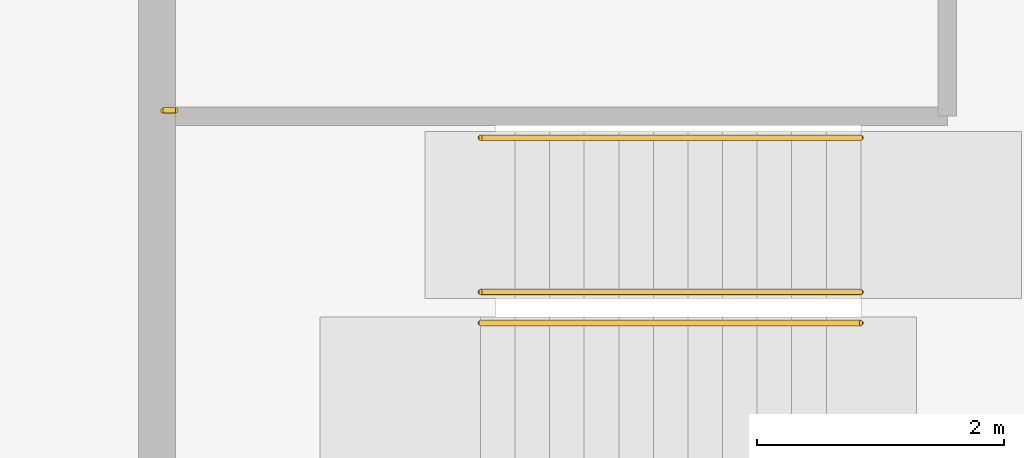
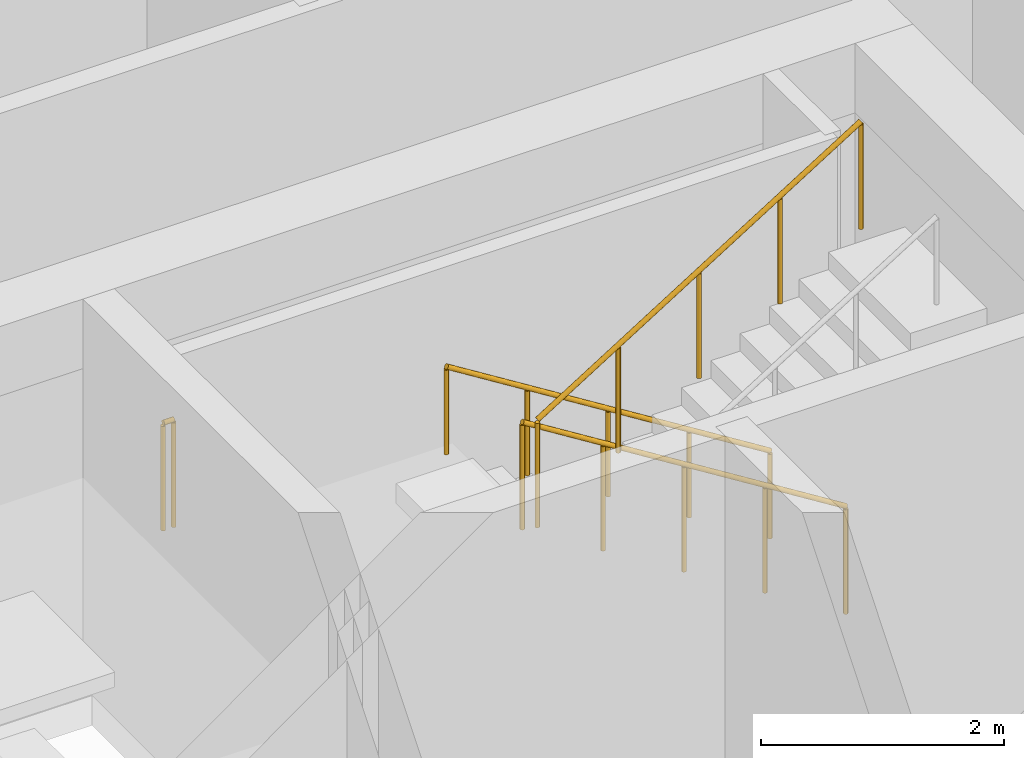
# One storey, part 17 of 19: 4 railings.
"""IFC4 building model written with IfcOpenShell, lengths in metres."""

from ifc_helpers import new_model, si_unit, direction, frame, origin, origin_2d, place, context, subcontext, project, spatial, circle, extrude, material, type_object, element, save


model = new_model("IFC4")

# Units and contexts
model_context = context("Model", 3, precision=1e-05, world=origin(), true_north=direction((0.0, 1.0)))
body_context = subcontext(model_context, "Body", "Model", "MODEL_VIEW")
ifc_project = project(units=[si_unit("LENGTHUNIT", "METRE"), si_unit("AREAUNIT", "SQUARE_METRE"), si_unit("VOLUMEUNIT", "CUBIC_METRE"), si_unit("PLANEANGLEUNIT", "RADIAN"), si_unit("MASSUNIT", "GRAM", prefix="KILO")], contexts=[model_context])

# Site, building, storey
site_placement = place(None, origin())
site = spatial("IfcSite", under=ifc_project, at=site_placement, CompositionType="ELEMENT")
building_placement = place(site_placement, origin())
building = spatial("IfcBuilding", under=site, at=building_placement, Name="Windrow Commons", CompositionType="ELEMENT")
storey_placement = place(building_placement, frame((0.0, 0.0, 185.4)))
storey = spatial("IfcBuildingStorey", under=building, at=storey_placement, Name="L50", CompositionType="ELEMENT", Elevation=185.4)

# Railings
ifc_material_1 = material(Name="Steel S355", Category="steel")
railing_type_1 = type_object("IfcRailingType", Name="Core stair guard 1100", PredefinedType="GUARDRAIL", material=ifc_material_1)
railing_1_placement = place(storey_placement, frame((70.5, 62.355, 0.175)))
element("IfcRailing", 1, at=railing_1_placement, inside=storey, type_object=railing_type_1, Name="L50 ST-A2 stair guard 1", PredefinedType="GUARDRAIL", context=body_context, shape_type="SweptSolid", body=[
    extrude(circle(Radius=0.024, at=origin_2d()), frame((0.0, 0.0, 1.076), z_axis=(-0.847998304, 0.0, 0.52999894), x_axis=(0.0, -1.0, 0.0)), (0.0, 0.0, 1.0), 3.6321),
    extrude(circle(Radius=0.021, at=origin_2d()), origin(), (0.0, 0.0, 1.0), 1.052),
    extrude(circle(Radius=0.021, at=origin_2d()), frame((-0.77, 0.0, 0.4813)), (0.0, 0.0, 1.0), 1.052),
    extrude(circle(Radius=0.021, at=origin_2d()), frame((-1.54, 0.0, 0.9625)), (0.0, 0.0, 1.0), 1.052),
    extrude(circle(Radius=0.021, at=origin_2d()), frame((-2.31, 0.0, 1.4438)), (0.0, 0.0, 1.0), 1.052),
    extrude(circle(Radius=0.021, at=origin_2d()), frame((-3.08, 0.0, 1.925)), (0.0, 0.0, 1.0), 1.052),
])
railing_2_placement = place(storey_placement, frame((67.42, 62.105, 2.275)))
element("IfcRailing", 2, at=railing_2_placement, inside=storey, type_object=railing_type_1, Name="L50 ST-A2 stair guard 2", PredefinedType="GUARDRAIL", context=body_context, shape_type="SweptSolid", body=[
    extrude(circle(Radius=0.024, at=origin_2d()), frame((0.0, 0.0, 1.076), z_axis=(0.847998304, 0.0, 0.52999894), x_axis=(0.0, 1.0, 0.0)), (0.0, 0.0, 1.0), 3.6321),
    extrude(circle(Radius=0.021, at=origin_2d()), origin(), (0.0, 0.0, 1.0), 1.052),
    extrude(circle(Radius=0.021, at=origin_2d()), frame((0.77, 0.0, 0.4812)), (0.0, 0.0, 1.0), 1.052),
    extrude(circle(Radius=0.021, at=origin_2d()), frame((1.54, 0.0, 0.9625)), (0.0, 0.0, 1.0), 1.052),
    extrude(circle(Radius=0.021, at=origin_2d()), frame((2.31, 0.0, 1.4437)), (0.0, 0.0, 1.0), 1.052),
    extrude(circle(Radius=0.021, at=origin_2d()), frame((3.08, 0.0, 1.925)), (0.0, 0.0, 1.0), 1.052),
])
railing_3_placement = place(storey_placement, frame((64.95, 63.825, 2.1)))
element("IfcRailing", 3, at=railing_3_placement, inside=storey, type_object=railing_type_1, Name="L50 ST-A2 stair guard 3", PredefinedType="GUARDRAIL", context=body_context, shape_type="SweptSolid", body=[
    extrude(circle(Radius=0.024, at=origin_2d()), frame((0.0, 0.0, 1.076), z_axis=(-1.0, 0.0, 0.0), x_axis=(0.0, -1.0, 0.0)), (0.0, 0.0, 1.0), 0.1),
    extrude(circle(Radius=0.021, at=origin_2d()), origin(), (0.0, 0.0, 1.0), 1.052),
    extrude(circle(Radius=0.021, at=origin_2d()), frame((-0.1, 0.0, 0.0)), (0.0, 0.0, 1.0), 1.052),
])
ifc_material_2 = material(Name="Steel S355", Category="steel")
railing_type_2 = type_object("IfcRailingType", Name="Core stair handrail 900", PredefinedType="HANDRAIL", material=ifc_material_2)
railing_4_placement = place(storey_placement, frame((70.5, 63.605, 0.175)))
element("IfcRailing", 4, at=railing_4_placement, inside=storey, type_object=railing_type_2, Name="L50 ST-A2 stair handrail 1", PredefinedType="HANDRAIL", context=body_context, shape_type="SweptSolid", body=[
    extrude(circle(Radius=0.024, at=origin_2d()), frame((0.0, 0.0, 0.876), z_axis=(-0.847998304, 0.0, 0.52999894), x_axis=(0.0, -1.0, 0.0)), (0.0, 0.0, 1.0), 3.6321),
    extrude(circle(Radius=0.021, at=origin_2d()), origin(), (0.0, 0.0, 1.0), 0.852),
    extrude(circle(Radius=0.021, at=origin_2d()), frame((-0.77, 0.0, 0.4813)), (0.0, 0.0, 1.0), 0.852),
    extrude(circle(Radius=0.021, at=origin_2d()), frame((-1.54, 0.0, 0.9625)), (0.0, 0.0, 1.0), 0.852),
    extrude(circle(Radius=0.021, at=origin_2d()), frame((-2.31, 0.0, 1.4438)), (0.0, 0.0, 1.0), 0.852),
    extrude(circle(Radius=0.021, at=origin_2d()), frame((-3.08, 0.0, 1.925)), (0.0, 0.0, 1.0), 0.852),
])

save(model, "model.ifc")
